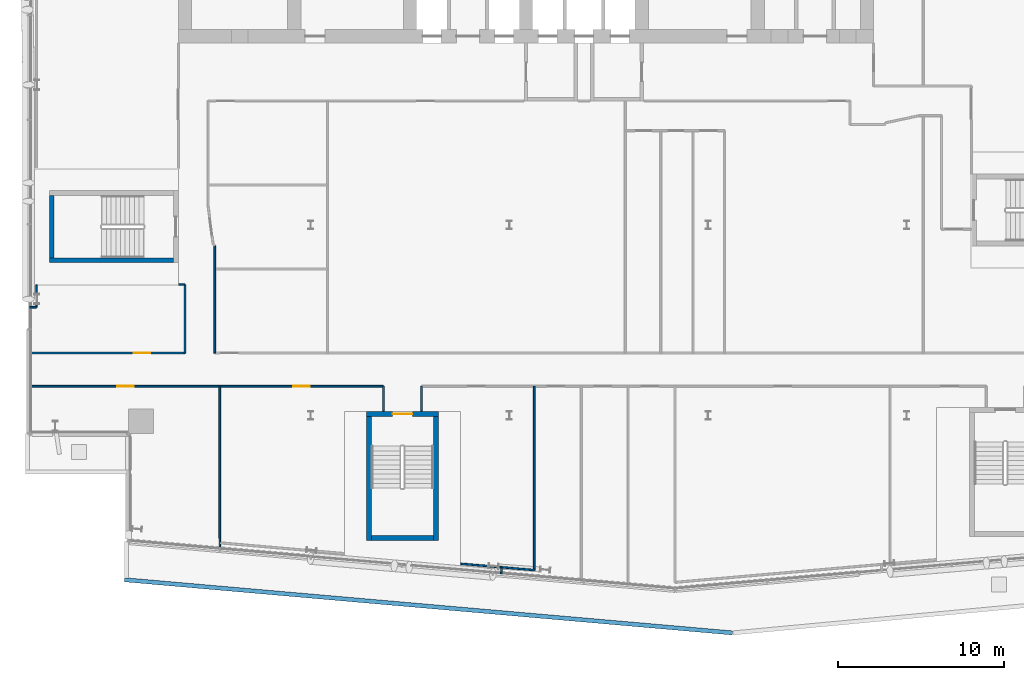
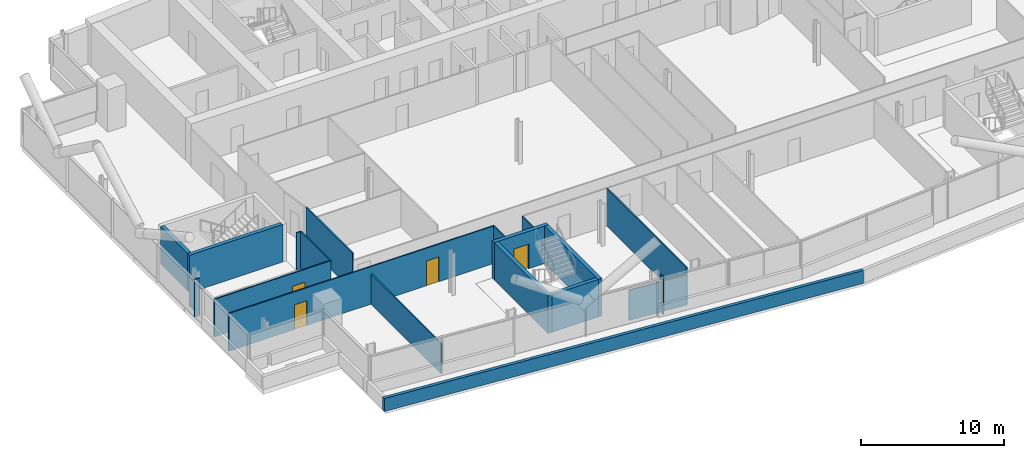
# One storey, part 15 of 30: 20 walls, 4 doors, 4 openings.
"""IFC4 building model written with IfcOpenShell, lengths in metres."""

import ifcopenshell
import ifcopenshell.guid

model = None  # the IFC model being written
_history = None  # IfcOwnerHistory: only IFC2X3 demands one
_inside = {}  # id of a spatial element -> (the spatial element, [elements in it])
_under = {}  # id of a project, library or spatial element -> (it, [spatial elements below it])
_declared = {}  # id of a project -> (the project, [libraries it declares])
_typed = {}  # id of a type object -> (the type object, [elements of that type])
_made_of = {}  # id of a material, layer set ... -> (it, [elements and type objects made of it])


def new_model(schema):
    """Start an empty IFC model of exactly this schema.

    Asked for "IFC4X3", IfcOpenShell would pick the latest addendum, in which some entities
    have other attributes; the version numbers below select the first issue.
    IFC2X3 requires an IfcOwnerHistory on every rooted entity: one is made here for all.
    """
    global model, _history
    if schema == "IFC4X3":
        model = ifcopenshell.file(schema_version=(4, 3, 0, 0))
    else:
        model = ifcopenshell.file(schema=schema)
    _inside.clear()
    _under.clear()
    _declared.clear()
    _typed.clear()
    _made_of.clear()
    _history = None
    if model.schema == "IFC2X3":
        org = make("IfcOrganization", Name="unknown")
        user = make(
            "IfcPersonAndOrganization",
            ThePerson=make("IfcPerson", FamilyName="unknown"),
            TheOrganization=org,
        )
        app = make(
            "IfcApplication",
            ApplicationDeveloper=org,
            Version="unknown",
            ApplicationFullName="unknown",
            ApplicationIdentifier="unknown",
        )
        _history = make(
            "IfcOwnerHistory",
            OwningUser=user,
            OwningApplication=app,
            ChangeAction="ADDED",
            CreationDate=0,
        )
    return model


def make(cls, **values):
    """One entity of the class cls with the attributes given. An attribute that is None is left unset."""
    return model.create_entity(
        cls, **{name: value for name, value in values.items() if value is not None}
    )


def rooted(cls, **values):
    """An entity with a GlobalId (a new one), such as an element, a storey or a relation."""
    return make(cls, GlobalId=ifcopenshell.guid.new(), OwnerHistory=_history, **values)


def si_unit(unit_type, name, prefix=None):
    """IfcSIUnit, for example si_unit("LENGTHUNIT", "METRE", prefix="MILLI")."""
    return make("IfcSIUnit", UnitType=unit_type, Prefix=prefix, Name=name)


def assignment(units):
    """IfcUnitAssignment: the units of a project."""
    return None if units is None else make("IfcUnitAssignment", Units=units)


def point(xyz):
    """IfcCartesianPoint."""
    return None if xyz is None else make("IfcCartesianPoint", Coordinates=xyz)


def direction(xyz):
    """IfcDirection."""
    return None if xyz is None else make("IfcDirection", DirectionRatios=xyz)


def frame(location, z_axis=None, x_axis=None):
    """IfcAxis2Placement3D, a coordinate frame: its origin and axes. An axis left out is left unset."""
    return make(
        "IfcAxis2Placement3D",
        Location=point(location),
        Axis=direction(z_axis),
        RefDirection=direction(x_axis),
    )


def frame_2d(location, x_axis=None):
    """IfcAxis2Placement2D, a coordinate frame in the plane: its origin and x axis."""
    return make(
        "IfcAxis2Placement2D", Location=point(location), RefDirection=direction(x_axis)
    )


def origin():
    """The frame at (0, 0, 0) with its axes left unset."""
    return frame((0.0, 0.0, 0.0))


def place(relative_to, where):
    """IfcLocalPlacement: puts the frame where relative to a parent placement (None: the world)."""
    return make(
        "IfcLocalPlacement", PlacementRelTo=relative_to, RelativePlacement=where
    )


def context(
    kind, dimensions, precision=None, world=None, true_north=None, identifier=None
):
    """IfcGeometricRepresentationContext, for example the 3D "Model" context."""
    return make(
        "IfcGeometricRepresentationContext",
        ContextIdentifier=identifier,
        ContextType=kind,
        CoordinateSpaceDimension=dimensions,
        Precision=precision,
        WorldCoordinateSystem=world,
        TrueNorth=true_north,
    )


def subcontext(parent, identifier, kind, view, scale=None):
    """IfcGeometricRepresentationSubContext, for example "Body" below "Model"."""
    return make(
        "IfcGeometricRepresentationSubContext",
        ContextIdentifier=identifier,
        ContextType=kind,
        ParentContext=parent,
        TargetScale=scale,
        TargetView=view,
    )


def project(units=None, contexts=None):
    """IfcProject with its units and contexts."""
    return rooted(
        "IfcProject",
        Name="project",
        RepresentationContexts=contexts,
        UnitsInContext=assignment(units),
    )


def spatial(cls, under=None, at=None, **own):
    """A site, building, storey or space (cls), placed at a placement, below another one or the project."""
    s = rooted(cls, ObjectPlacement=at, **own)
    if under is not None:
        _under.setdefault(under.id(), (under, []))[1].append(s)
    return s


def profile(cls, at=None, kind="AREA", **sizes):
    """A parametric profile (cls). Its sizes go by their IFC names, for example OverallWidth=200.0."""
    return make(cls, ProfileType=kind, Position=at, **sizes)


def rectangle(**sizes):
    """IfcRectangleProfileDef."""
    return profile("IfcRectangleProfileDef", **sizes)


def extrude(swept, where, along, depth):
    """IfcExtrudedAreaSolid: the profile swept, set in the frame where, extruded along a direction by depth."""
    return make(
        "IfcExtrudedAreaSolid",
        SweptArea=swept,
        Position=where,
        ExtrudedDirection=direction(along),
        Depth=depth,
    )


def shape(context_of_items, identifier, shape_type, items):
    """IfcShapeRepresentation: the items that make up one representation, for example the "Body"."""
    return make(
        "IfcShapeRepresentation",
        ContextOfItems=context_of_items,
        RepresentationIdentifier=identifier,
        RepresentationType=shape_type,
        Items=items,
    )


def material(Name=None, Category=None):
    """IfcMaterial."""
    return make("IfcMaterial", Name=Name, Category=Category)


def layer(
    of_material, thickness, ventilated=None, Name=None, Category=None, Priority=None
):
    """IfcMaterialLayer: one layer of a wall or slab, of a material (None: an air gap)."""
    return make(
        "IfcMaterialLayer",
        Material=of_material,
        LayerThickness=thickness,
        IsVentilated=ventilated,
        Name=Name,
        Category=Category,
        Priority=Priority,
    )


def layer_set(layers, Name=None):
    """IfcMaterialLayerSet."""
    return make("IfcMaterialLayerSet", MaterialLayers=layers, LayerSetName=Name)


def made_of(thing, what):
    """Note that an element or type object is made of a material, layer set ...; save() writes the relation."""
    if what is not None:
        _made_of.setdefault(what.id(), (what, []))[1].append(thing)
    return thing


def type_object(cls, material=None, **own):
    """A type object (cls), such as IfcWallType, which elements share."""
    return made_of(rooted(cls, **own), material)


def element(
    cls,
    number,
    at=None,
    inside=None,
    cuts=None,
    type_object=None,
    material=None,
    context=None,
    identifier="Body",
    shape_type=None,
    held_by="IfcProductDefinitionShape",
    body=None,
    shapes=None,
    **own,
):
    """One element of the class cls, such as IfcWall. Its Tag is "e" and its number.

    at: its placement. inside: the storey or other place that contains it. cuts: it is an
    opening in that element (IfcRelVoidsElement). A single representation is given by context,
    identifier, shape_type and body (its items); several are given by shapes. held_by: the class
    of the entity that holds the representations. save() writes the other relations.
    """
    e = rooted(cls, Tag="e%d" % number, ObjectPlacement=at, **own)
    if body is not None:
        shapes = [shape(context, identifier, shape_type, body)]
    if shapes is not None:
        e.Representation = make(held_by, Representations=shapes)
    if inside is not None:
        _inside.setdefault(inside.id(), (inside, []))[1].append(e)
    if cuts is not None:
        rooted(
            "IfcRelVoidsElement", RelatingBuildingElement=cuts, RelatedOpeningElement=e
        )
    if type_object is not None:
        _typed.setdefault(type_object.id(), (type_object, []))[1].append(e)
    return made_of(e, material)


def fill(opening, filler):
    """IfcRelFillsElement: the door or window that sits in an opening."""
    return rooted(
        "IfcRelFillsElement",
        RelatingOpeningElement=opening,
        RelatedBuildingElement=filler,
    )


def aggregate(whole, parts):
    """IfcRelAggregates: a whole, such as a stair, and the parts it consists of."""
    return rooted("IfcRelAggregates", RelatingObject=whole, RelatedObjects=parts)


def save(model, path):
    """Write the relations noted so far, then the file.

    IfcRelAggregates (storeys below a building ...), IfcRelContainedInSpatialStructure (elements
    in a storey), IfcRelDefinesByType, IfcRelAssociatesMaterial and IfcRelDeclares: one each for
    every whole, place, type object, material and project.
    """
    for whole, parts in _under.values():
        aggregate(whole, parts)
    for where, things in _inside.values():
        rooted(
            "IfcRelContainedInSpatialStructure",
            RelatedElements=things,
            RelatingStructure=where,
        )
    for kind, things in _typed.values():
        rooted("IfcRelDefinesByType", RelatedObjects=things, RelatingType=kind)
    for what, things in _made_of.values():
        rooted("IfcRelAssociatesMaterial", RelatedObjects=things, RelatingMaterial=what)
    for by, libraries in _declared.values():
        rooted("IfcRelDeclares", RelatingContext=by, RelatedDefinitions=libraries)
    model.write(path)


model = new_model("IFC4")

# Units and contexts
model_context = context("Model", 3, precision=1e-05, world=origin(), true_north=direction((0.0, 1.0)))
body_context = subcontext(model_context, "Body", "Model", "MODEL_VIEW")
ifc_project = project(units=[si_unit("LENGTHUNIT", "METRE"), si_unit("AREAUNIT", "SQUARE_METRE"), si_unit("VOLUMEUNIT", "CUBIC_METRE"), si_unit("PLANEANGLEUNIT", "RADIAN"), si_unit("MASSUNIT", "GRAM", prefix="KILO")], contexts=[model_context])

# Site, building, storey
site_placement = place(None, origin())
site = spatial("IfcSite", under=ifc_project, at=site_placement, CompositionType="ELEMENT")
building_placement = place(site_placement, origin())
building = spatial("IfcBuilding", under=site, at=building_placement, Name="Wharfspan Tower", CompositionType="ELEMENT")
storey_placement = place(building_placement, frame((0.0, 0.0, 151.899902)))
storey = spatial("IfcBuildingStorey", under=building, at=storey_placement, Name="L36", CompositionType="ELEMENT", Elevation=151.899902)

# Wall, openings, doors
ifc_material_1 = material(Name="Gypsum board on steel studs", Category="steel")
ifc_layer_1 = layer(ifc_material_1, 0.100098)
ifc_layer_set_1 = layer_set([ifc_layer_1], Name="Gypsum board on steel studs")
wall_type_1 = type_object("IfcWallType", Name="Compartment wall 100 EI 60", PredefinedType="PARTITIONING", material=ifc_layer_set_1)
wall_1_placement = place(storey_placement, frame((7.02002, 13.264893, 0.0), z_axis=(0.0, 0.0, 1.0), x_axis=(1.0, 0.0, 0.0)))
wall_1 = element("IfcWall", 1, at=wall_1_placement, inside=storey, type_object=wall_type_1, Name="Partition L36.w001", PredefinedType="PARTITIONING", context=body_context, shape_type="SweptSolid", body=[
    extrude(rectangle(XDim=21.369873, YDim=0.100098, at=frame_2d((10.685059, 0.0))), origin(), (0.0, 0.0, 1.0), 3.200195),
])
opening_1_placement = place(wall_1_placement, frame((5.280029, 0.0, 0.0)))
opening_1 = element("IfcOpeningElement", 2, at=opening_1_placement, cuts=wall_1, Name="Opening C1-01", PredefinedType="OPENING", context=body_context, shape_type="SweptSolid", body=[
    extrude(rectangle(XDim=1.0, YDim=2.100098, at=frame_2d((0.5, 1.050049))), frame((0.0, 0.060059, 0.0), z_axis=(0.0, -1.0, 0.0), x_axis=(1.0, 0.0, 0.0)), (0.0, 0.0, 1.0), 0.120117),
])
opening_2_placement = place(wall_1_placement, frame((15.905029, 0.0, 0.0)))
opening_2 = element("IfcOpeningElement", 3, at=opening_2_placement, cuts=wall_1, Name="Opening C1-02", PredefinedType="OPENING", context=body_context, shape_type="SweptSolid", body=[
    extrude(rectangle(XDim=1.0, YDim=2.100098, at=frame_2d((0.5, 1.050049))), frame((0.0, 0.060059, 0.0), z_axis=(0.0, -1.0, 0.0), x_axis=(1.0, 0.0, 0.0)), (0.0, 0.0, 1.0), 0.120117),
])
ifc_material_2 = material(Name="Fire-rated timber door leaf in steel frame", Category="steel")
door_type_1 = type_object("IfcDoorType", Name="Door 1000 FD30S Left", OperationType="SINGLE_SWING_LEFT", PredefinedType="DOOR", material=ifc_material_2)
door_1_placement = place(opening_1_placement, origin())
door_1 = element("IfcDoor", 4, at=door_1_placement, inside=storey, type_object=door_type_1, Name="Door C1-01", OperationType="SINGLE_SWING_LEFT", OverallHeight=2.100098, OverallWidth=1.0, PredefinedType="DOOR", context=body_context, shape_type="SweptSolid", body=[
    extrude(rectangle(XDim=1.0, YDim=2.100098, at=frame_2d((0.5, 1.050049))), frame((0.0, 0.024902, 0.0), z_axis=(0.0, -1.0, 0.0), x_axis=(1.0, 0.0, 0.0)), (0.0, 0.0, 1.0), 0.050049),
])
fill(opening_1, door_1)
door_type_2 = type_object("IfcDoorType", Name="Door 1000 FD30S Right", OperationType="SINGLE_SWING_RIGHT", PredefinedType="DOOR", material=ifc_material_2)
door_2_placement = place(opening_2_placement, origin())
door_2 = element("IfcDoor", 5, at=door_2_placement, inside=storey, type_object=door_type_2, Name="Door C1-02", OperationType="SINGLE_SWING_RIGHT", OverallHeight=2.100098, OverallWidth=1.0, PredefinedType="DOOR", context=body_context, shape_type="SweptSolid", body=[
    extrude(rectangle(XDim=1.0, YDim=2.100098, at=frame_2d((0.5, 1.050049))), frame((0.0, 0.024902, 0.0), z_axis=(0.0, -1.0, 0.0), x_axis=(1.0, 0.0, 0.0)), (0.0, 0.0, 1.0), 0.050049),
])
fill(opening_2, door_2)

# Wall, opening, door
wall_2_placement = place(storey_placement, frame((7.02002, 15.27002, 0.0), z_axis=(0.0, 0.0, 1.0), x_axis=(1.0, 0.0, 0.0)))
wall_2 = element("IfcWall", 6, at=wall_2_placement, inside=storey, type_object=wall_type_1, Name="Partition L36.w002", PredefinedType="PARTITIONING", context=body_context, shape_type="SweptSolid", body=[
    extrude(rectangle(XDim=9.379883, YDim=0.100098, at=frame_2d((4.689941, 0.0))), origin(), (0.0, 0.0, 1.0), 3.200195),
])
opening_3_placement = place(wall_2_placement, frame((6.290039, 0.0, 0.0)))
opening_3 = element("IfcOpeningElement", 7, at=opening_3_placement, cuts=wall_2, Name="Opening C1-11", PredefinedType="OPENING", context=body_context, shape_type="SweptSolid", body=[
    extrude(rectangle(XDim=1.0, YDim=2.100098, at=frame_2d((0.5, 1.050049))), frame((0.0, 0.060059, 0.0), z_axis=(0.0, -1.0, 0.0), x_axis=(1.0, 0.0, 0.0)), (0.0, 0.0, 1.0), 0.120117),
])
door_3_placement = place(opening_3_placement, origin())
door_3 = element("IfcDoor", 8, at=door_3_placement, inside=storey, type_object=door_type_2, Name="Door C1-11", OperationType="SINGLE_SWING_RIGHT", OverallHeight=2.100098, OverallWidth=1.0, PredefinedType="DOOR", context=body_context, shape_type="SweptSolid", body=[
    extrude(rectangle(XDim=1.0, YDim=2.100098, at=frame_2d((0.5, 1.050049))), frame((0.0, 0.024902, 0.0), z_axis=(0.0, -1.0, 0.0), x_axis=(1.0, 0.0, 0.0)), (0.0, 0.0, 1.0), 0.050049),
])
fill(opening_3, door_3)

# Walls
wall_3_placement = place(storey_placement, frame((16.02002, 19.399902, 0.0), z_axis=(0.0, 0.0, 1.0), x_axis=(1.0, 0.0, 0.0)))
element("IfcWall", 9, at=wall_3_placement, inside=storey, type_object=wall_type_1, Name="Partition L36.w007", PredefinedType="PARTITIONING", context=body_context, shape_type="SweptSolid", body=[
    extrude(rectangle(XDim=0.379883, YDim=0.100098, at=frame_2d((0.189941, 0.0))), origin(), (0.0, 0.0, 1.0), 3.200195),
])
wall_4_placement = place(storey_placement, frame((16.399902, 15.27002, 0.0), z_axis=(0.0, 0.0, 1.0), x_axis=(0.0, 1.0, 0.0)))
element("IfcWall", 10, at=wall_4_placement, inside=storey, type_object=wall_type_1, Name="Partition L36.w008", PredefinedType="PARTITIONING", context=body_context, shape_type="SweptSolid", body=[
    extrude(rectangle(XDim=4.129883, YDim=0.100098, at=frame_2d((2.064941, 0.0))), origin(), (0.0, 0.0, 1.0), 3.200195),
])
wall_5_placement = place(storey_placement, frame((18.199951, 15.27002, 0.0), z_axis=(0.0, 0.0, 1.0), x_axis=(0.0, 1.0, 0.0)))
element("IfcWall", 11, at=wall_5_placement, inside=storey, type_object=wall_type_1, Name="Partition L36.w014", PredefinedType="PARTITIONING", context=body_context, shape_type="SweptSolid", body=[
    extrude(rectangle(XDim=6.47998, YDim=0.100098, at=frame_2d((3.23999, 0.0))), origin(), (0.0, 0.0, 1.0), 3.200195),
])
wall_6_placement = place(storey_placement, frame((18.504883, 3.413574, 0.0), z_axis=(0.0, 0.0, 1.0), x_axis=(-0.000496, 1.000004, 0.0)))
element("IfcWall", 12, at=wall_6_placement, inside=storey, type_object=wall_type_1, Name="Partition L36.w017", PredefinedType="PARTITIONING", context=body_context, shape_type="SweptSolid", body=[
    extrude(rectangle(XDim=9.851318, YDim=0.100098, at=frame_2d((4.925781, 0.0))), origin(), (0.0, 0.0, 1.0), 2.580078),
])
for number, where, z_axis, x_axis, name in (
    (13, (28.389893, 11.754395, 0.0), (0.0, 0.0, 1.0), (0.0, 1.0, 0.0), "Partition L36.w021"),
    (14, (30.689941, 11.754395, 0.0), (0.0, 0.0, 1.0), (0.0, 1.0, 0.0), "Partition L36.w022"),
):
    element("IfcWall", number, at=place(storey_placement, frame(where, z_axis=z_axis, x_axis=x_axis)), inside=storey, type_object=wall_type_1, Name=name, PredefinedType="PARTITIONING", context=body_context, shape_type="SweptSolid", body=[
        extrude(rectangle(XDim=1.510498, YDim=0.100098, at=frame_2d((0.755371, 0.0))), origin(), (0.0, 0.0, 1.0), 3.200195),
    ])
wall_7_placement = place(storey_placement, frame((37.5, 2.155029, 0.0), z_axis=(0.0, 0.0, 1.0), x_axis=(0.0, 1.0, 0.0)))
element("IfcWall", 15, at=wall_7_placement, inside=storey, type_object=wall_type_1, Name="Partition L36.w027", PredefinedType="PARTITIONING", context=body_context, shape_type="SweptSolid", body=[
    extrude(rectangle(XDim=11.109863, YDim=0.100098, at=frame_2d((5.554932, 0.0))), origin(), (0.0, 0.0, 1.0), 3.200195),
])
ifc_material_3 = material(Name="Concrete C40/50", Category="concrete")
ifc_layer_2 = layer(ifc_material_3, 0.25)
ifc_layer_set_2 = layer_set([ifc_layer_2], Name="Concrete C40/50")
wall_type_2 = type_object("IfcWallType", Name="PARAPET CONCRETE 250", PredefinedType="PARAPET", material=ifc_layer_set_2)
wall_8_placement = place(storey_placement, frame((49.470215, -1.641113, 0.0), z_axis=(0.0, 0.0, 1.0), x_axis=(-0.996194, 0.087158, 0.0)))
element("IfcWall", 16, at=wall_8_placement, inside=storey, type_object=wall_type_2, Name="Ledge parapet", PredefinedType="PARAPET", context=body_context, shape_type="SweptSolid", body=[
    extrude(rectangle(XDim=36.860107, YDim=0.25, at=frame_2d((18.430176, 0.0))), origin(), (0.0, 0.0, 1.0), 1.100098),
])
ifc_layer_3 = layer(ifc_material_1, 0.100098)
ifc_layer_set_3 = layer_set([ifc_layer_3], Name="Gypsum board on steel studs")
wall_type_3 = type_object("IfcWallType", Name="Partition 100", PredefinedType="PARTITIONING", material=ifc_layer_set_3)
wall_9_placement = place(storey_placement, frame((7.02002, 18.034912, 0.0), z_axis=(0.0, 0.0, 1.0), x_axis=(1.0, 0.0, 0.0)))
element("IfcWall", 17, at=wall_9_placement, inside=storey, type_object=wall_type_3, Name="Partition L36.w003", PredefinedType="PARTITIONING", context=body_context, shape_type="SweptSolid", body=[
    extrude(rectangle(XDim=0.399902, YDim=0.100098, at=frame_2d((0.199951, 0.0))), origin(), (0.0, 0.0, 1.0), 3.200195),
])
wall_10_placement = place(storey_placement, frame((7.419922, 18.034912, 0.0), z_axis=(0.0, 0.0, 1.0), x_axis=(0.0, 1.0, 0.0)))
element("IfcWall", 18, at=wall_10_placement, inside=storey, type_object=wall_type_3, Name="Partition L36.w004", PredefinedType="PARTITIONING", context=body_context, shape_type="SweptSolid", body=[
    extrude(rectangle(XDim=1.344971, YDim=0.100098, at=frame_2d((0.672363, 0.0))), origin(), (0.0, 0.0, 1.0), 2.580078),
])
wall_11_placement = place(storey_placement, frame((35.501709, 1.926514, 0.0), z_axis=(0.0, 0.0, 1.0), x_axis=(0.083045, 0.996542, 0.0)))
element("IfcWall", 19, at=wall_11_placement, inside=storey, type_object=wall_type_3, Name="Partition L36.w024", PredefinedType="PARTITIONING", context=body_context, shape_type="SweptSolid", body=[
    extrude(rectangle(XDim=0.399902, YDim=0.100098, at=frame_2d((0.199951, 0.0))), origin(), (0.0, 0.0, 1.0), 3.200195),
])
wall_12_placement = place(storey_placement, frame((37.5, 2.155029, 0.0), z_axis=(0.0, 0.0, 1.0), x_axis=(-0.996277, 0.086192, 0.0)))
element("IfcWall", 20, at=wall_12_placement, inside=storey, type_object=wall_type_3, Name="Partition L36.w026", PredefinedType="PARTITIONING", context=body_context, shape_type="SweptSolid", body=[
    extrude(rectangle(XDim=4.455566, YDim=0.100098, at=frame_2d((2.227783, 0.0))), origin(), (0.0, 0.0, 1.0), 2.580078),
])

# Wall, opening, door
ifc_layer_4 = layer(ifc_material_3, 0.300049)
ifc_layer_set_4 = layer_set([ifc_layer_4], Name="Concrete C40/50")
wall_type_4 = type_object("IfcWallType", Name="Stair core wall 300", PredefinedType="SHEAR", material=ifc_layer_set_4)
wall_13_placement = place(storey_placement, frame((27.364258, 11.584229, 0.0), z_axis=(0.0, 0.0, 1.0), x_axis=(1.0, 0.0, 0.0)))
wall_13 = element("IfcWall", 21, at=wall_13_placement, inside=storey, type_object=wall_type_4, Name="ST4 stair enclosure wall L36", PredefinedType="SHEAR", context=body_context, shape_type="SweptSolid", body=[
    extrude(rectangle(XDim=4.349854, YDim=0.300049, at=frame_2d((2.174805, 0.0))), origin(), (0.0, 0.0, 1.0), 3.200195),
])
opening_4_placement = place(wall_13_placement, frame((1.574951, 0.0, 0.0)))
opening_4 = element("IfcOpeningElement", 22, at=opening_4_placement, cuts=wall_13, Name="Opening SD4.L36", PredefinedType="OPENING", context=body_context, shape_type="SweptSolid", body=[
    extrude(rectangle(XDim=1.199951, YDim=2.100098, at=frame_2d((0.600098, 1.050049))), frame((0.0, 0.159912, 0.0), z_axis=(0.0, -1.0, 0.0), x_axis=(1.0, 0.0, 0.0)), (0.0, 0.0, 1.0), 0.320068),
])
ifc_material_4 = material(Name="Steel door leaf", Category="steel")
door_type_3 = type_object("IfcDoorType", Name="Stair door 1200x2100", OperationType="SINGLE_SWING_LEFT", PredefinedType="DOOR", material=ifc_material_4)
door_4_placement = place(opening_4_placement, origin())
door_4 = element("IfcDoor", 23, at=door_4_placement, inside=storey, type_object=door_type_3, Name="sd:L36:ST4z3", OperationType="SINGLE_SWING_RIGHT", OverallHeight=2.100098, OverallWidth=1.199951, PredefinedType="DOOR", context=body_context, shape_type="SweptSolid", body=[
    extrude(rectangle(XDim=1.199951, YDim=2.100098, at=frame_2d((0.600098, 1.050049))), frame((0.0, 0.024902, 0.0), z_axis=(0.0, -1.0, 0.0), x_axis=(1.0, 0.0, 0.0)), (0.0, 0.0, 1.0), 0.050049),
])
fill(opening_4, door_4)

# Walls
wall_14_placement = place(storey_placement, frame((8.199951, 20.875, 0.0), z_axis=(0.0, 0.0, 1.0), x_axis=(1.0, 0.0, 0.0)))
element("IfcWall", 24, at=wall_14_placement, inside=storey, type_object=wall_type_4, Name="ST3 stair enclosure wall L36", PredefinedType="SHEAR", context=body_context, shape_type="SweptSolid", body=[
    extrude(rectangle(XDim=7.5, YDim=0.300049, at=frame_2d((3.75, 0.0))), origin(), (0.0, 0.0, 1.0), 3.200195),
])
wall_15_placement = place(storey_placement, frame((8.350098, 21.024902, 0.0), z_axis=(0.0, 0.0, 1.0), x_axis=(0.0, 1.0, 0.0)))
element("IfcWall", 25, at=wall_15_placement, inside=storey, type_object=wall_type_4, Name="ST3 stair enclosure wall L36", PredefinedType="SHEAR", context=body_context, shape_type="SweptSolid", body=[
    extrude(rectangle(XDim=3.75, YDim=0.300049, at=frame_2d((1.875, 0.0))), origin(), (0.0, 0.0, 1.0), 3.200195),
])
for number, where, z_axis, x_axis, name in (
    (26, (27.51416, 3.934326, 0.0), (0.0, 0.0, 1.0), (0.0, 1.0, 0.0), "ST4 stair enclosure wall L36"),
    (27, (31.564209, 3.934326, 0.0), (0.0, 0.0, 1.0), (0.0, 1.0, 0.0), "ST4 stair enclosure wall L36"),
):
    element("IfcWall", number, at=place(storey_placement, frame(where, z_axis=z_axis, x_axis=x_axis)), inside=storey, type_object=wall_type_4, Name=name, PredefinedType="SHEAR", context=body_context, shape_type="SweptSolid", body=[
        extrude(rectangle(XDim=7.5, YDim=0.300049, at=frame_2d((3.75, 0.0))), origin(), (0.0, 0.0, 1.0), 3.200195),
    ])
wall_16_placement = place(storey_placement, frame((27.664307, 4.084229, 0.0), z_axis=(0.0, 0.0, 1.0), x_axis=(1.0, 0.0, 0.0)))
element("IfcWall", 28, at=wall_16_placement, inside=storey, type_object=wall_type_4, Name="ST4 stair enclosure wall L36", PredefinedType="SHEAR", context=body_context, shape_type="SweptSolid", body=[
    extrude(rectangle(XDim=3.75, YDim=0.300049, at=frame_2d((1.875, 0.0))), origin(), (0.0, 0.0, 1.0), 3.200195),
])

save(model, "model.ifc")
